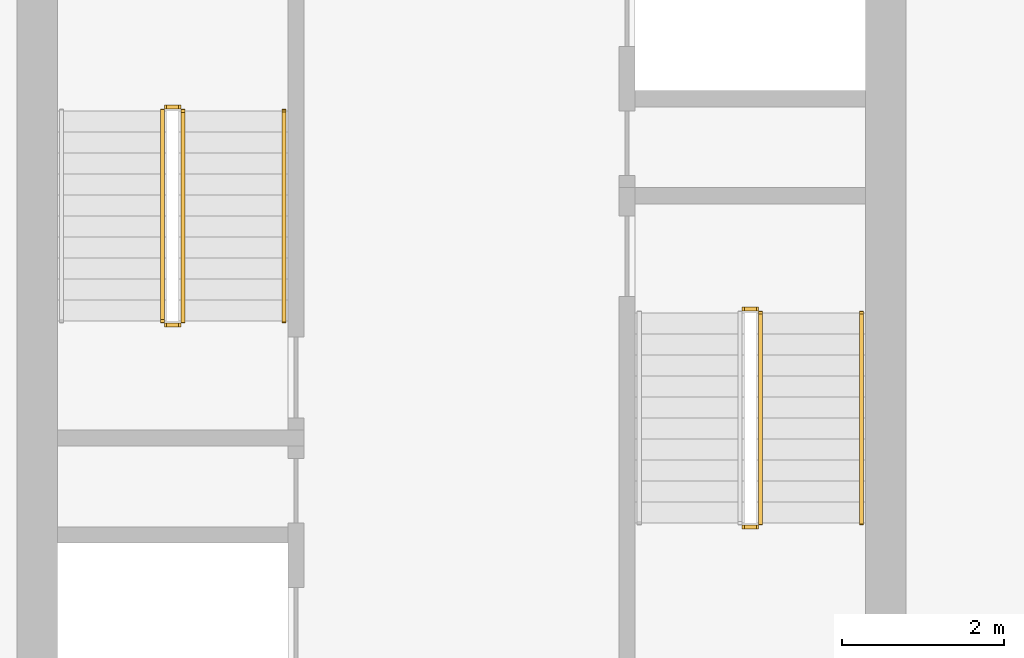
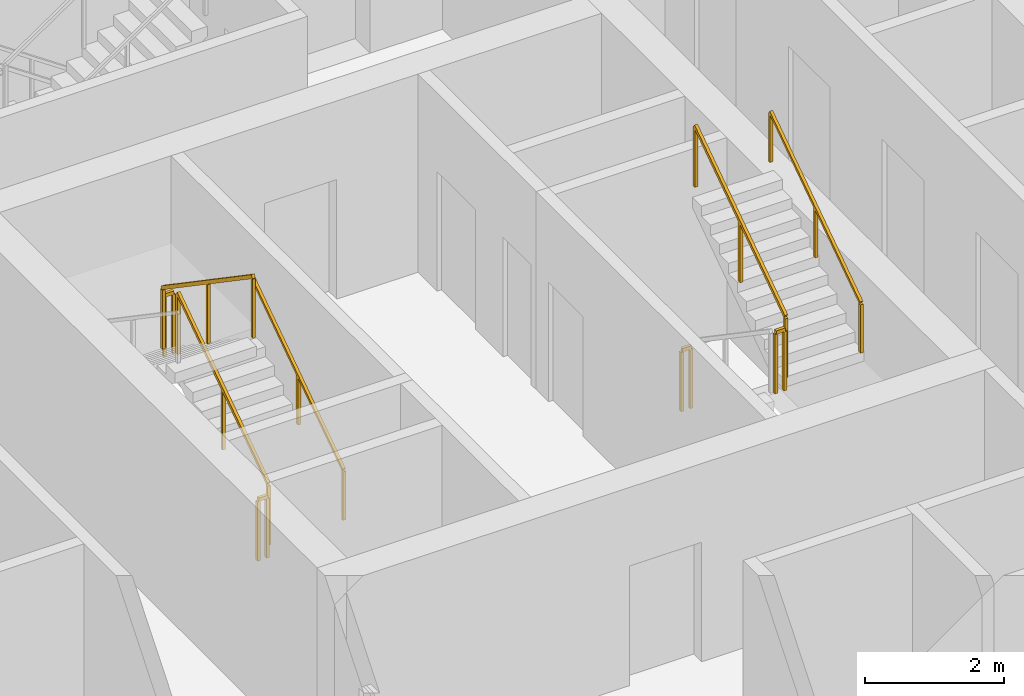
# One storey, part 13 of 16: 9 railings.
"""IFC4 building model written with IfcOpenShell, lengths in metres."""

from ifc_helpers import new_model, si_unit, direction, frame, origin, origin_2d, place, context, subcontext, project, spatial, rectangle, extrude, material, type_object, element, save


model = new_model("IFC4")

# Units and contexts
model_context = context("Model", 3, precision=1e-05, world=origin(), true_north=direction((0.0, 1.0)))
body_context = subcontext(model_context, "Body", "Model", "MODEL_VIEW")
ifc_project = project(units=[si_unit("LENGTHUNIT", "METRE"), si_unit("AREAUNIT", "SQUARE_METRE"), si_unit("VOLUMEUNIT", "CUBIC_METRE"), si_unit("PLANEANGLEUNIT", "RADIAN"), si_unit("MASSUNIT", "GRAM", prefix="KILO")], contexts=[model_context])

# Site, building, storey
site_placement = place(None, origin())
site = spatial("IfcSite", under=ifc_project, at=site_placement, CompositionType="ELEMENT")
building_placement = place(site_placement, origin())
building = spatial("IfcBuilding", under=site, at=building_placement, Name="Khepri Terraces", CompositionType="ELEMENT")
storey_placement = place(building_placement, frame((0.0, 0.0, 133.800048828125)))
storey = spatial("IfcBuildingStorey", under=building, at=storey_placement, Name="L31", CompositionType="ELEMENT", Elevation=133.800048828125)

# Railings
ifc_material = material(Name="Stainless steel 316", Category="steel")
railing_type_1 = type_object("IfcRailingType", Name="RL-CORE-GUARD", PredefinedType="GUARDRAIL", material=ifc_material)
railing_1_placement = place(storey_placement, frame((-3.449951171875, -0.050048828125, 0.17724609375)))
element("IfcRailing", 1, at=railing_1_placement, inside=storey, type_object=railing_type_1, Name="L31 ST-1 stair guard 1", PredefinedType="GUARDRAIL", context=body_context, shape_type="SweptSolid", body=[
    extrude(rectangle(XDim=0.050048828125, YDim=0.06005859375, at=origin_2d()), frame((0.0, 0.0, 1.070068359375), z_axis=(0.0, 0.826240473404, 0.563317565952), x_axis=(-1.0, 0.0, 0.0)), (0.0, 0.0, 1.0), 3.14697265625),
    extrude(rectangle(XDim=0.050048828125, YDim=0.050048828125, at=origin_2d()), origin(), (0.0, 0.0, 1.0), 1.0400390625),
    extrude(rectangle(XDim=0.050048828125, YDim=0.050048828125, at=origin_2d()), frame((0.0, 1.300048828125, 0.88623046875)), (0.0, 0.0, 1.0), 1.0400390625),
    extrude(rectangle(XDim=0.050048828125, YDim=0.050048828125, at=origin_2d()), frame((0.0, 2.60009765625, 1.772705078125)), (0.0, 0.0, 1.0), 1.0400390625),
])
railing_2_placement = place(storey_placement, frame((-3.5, 2.60009765625, 1.949951171875)))
element("IfcRailing", 2, at=railing_2_placement, inside=storey, type_object=railing_type_1, Name="L31 ST-1 stair guard 2", PredefinedType="GUARDRAIL", context=body_context, shape_type="SweptSolid", body=[
    extrude(rectangle(XDim=0.050048828125, YDim=0.06005859375, at=origin_2d()), frame((0.0, 0.0, 1.070068359375), z_axis=(-1.0, 0.0, 0.0), x_axis=(0.0, -1.0, 0.0)), (0.0, 0.0, 1.0), 0.14990234375),
    extrude(rectangle(XDim=0.050048828125, YDim=0.050048828125, at=origin_2d()), origin(), (0.0, 0.0, 1.0), 1.0400390625),
    extrude(rectangle(XDim=0.050048828125, YDim=0.050048828125, at=origin_2d()), frame((-0.14990234375, 0.0, 0.0)), (0.0, 0.0, 1.0), 1.0400390625),
])
railing_3_placement = place(storey_placement, frame((-3.699951171875, 2.550048828125, 2.127197265625)))
element("IfcRailing", 3, at=railing_3_placement, inside=storey, type_object=railing_type_1, Name="L31 ST-1 stair guard 3", PredefinedType="GUARDRAIL", context=body_context, shape_type="SweptSolid", body=[
    extrude(rectangle(XDim=0.050048828125, YDim=0.06005859375, at=origin_2d()), frame((0.0, 0.0, 1.070068359375), z_axis=(0.0, -0.826240473404, 0.563317565952), x_axis=(1.0, 0.0, 0.0)), (0.0, 0.0, 1.0), 3.14697265625),
    extrude(rectangle(XDim=0.050048828125, YDim=0.050048828125, at=origin_2d()), origin(), (0.0, 0.0, 1.0), 1.0400390625),
    extrude(rectangle(XDim=0.050048828125, YDim=0.050048828125, at=origin_2d()), frame((0.0, -1.300048828125, 0.88623046875)), (0.0, 0.0, 1.0), 1.0400390625),
    extrude(rectangle(XDim=0.050048828125, YDim=0.050048828125, at=origin_2d()), frame((0.0, -2.60009765625, 1.772705078125)), (0.0, 0.0, 1.0), 1.0400390625),
])
railing_4_placement = place(storey_placement, frame((-3.5, -0.10009765625, 0.0)))
element("IfcRailing", 4, at=railing_4_placement, inside=storey, type_object=railing_type_1, Name="L31 ST-1 stair guard 4", PredefinedType="GUARDRAIL", context=body_context, shape_type="SweptSolid", body=[
    extrude(rectangle(XDim=0.050048828125, YDim=0.06005859375, at=origin_2d()), frame((0.0, 0.0, 1.070068359375), z_axis=(-1.0, 0.0, 0.0), x_axis=(0.0, -1.0, 0.0)), (0.0, 0.0, 1.0), 0.14990234375),
    extrude(rectangle(XDim=0.050048828125, YDim=0.050048828125, at=origin_2d()), origin(), (0.0, 0.0, 1.0), 1.0400390625),
    extrude(rectangle(XDim=0.050048828125, YDim=0.050048828125, at=origin_2d()), frame((-0.14990234375, 0.0, 0.0)), (0.0, 0.0, 1.0), 1.0400390625),
])
railing_5_placement = place(storey_placement, frame((3.5, -2.60009765625, 1.949951171875)))
element("IfcRailing", 5, at=railing_5_placement, inside=storey, type_object=railing_type_1, Name="L31 ST-2 stair guard 2", PredefinedType="GUARDRAIL", context=body_context, shape_type="SweptSolid", body=[
    extrude(rectangle(XDim=0.050048828125, YDim=0.06005859375, at=origin_2d()), frame((0.0, 0.0, 1.070068359375), z_axis=(1.0, 0.0, 0.0), x_axis=(0.0, 1.0, 0.0)), (0.0, 0.0, 1.0), 0.14990234375),
    extrude(rectangle(XDim=0.050048828125, YDim=0.050048828125, at=origin_2d()), origin(), (0.0, 0.0, 1.0), 1.0400390625),
    extrude(rectangle(XDim=0.050048828125, YDim=0.050048828125, at=origin_2d()), frame((0.14990234375, 0.0, 0.0)), (0.0, 0.0, 1.0), 1.0400390625),
])
railing_6_placement = place(storey_placement, frame((3.699951171875, -2.550048828125, 2.127197265625)))
element("IfcRailing", 6, at=railing_6_placement, inside=storey, type_object=railing_type_1, Name="L31 ST-2 stair guard 3", PredefinedType="GUARDRAIL", context=body_context, shape_type="SweptSolid", body=[
    extrude(rectangle(XDim=0.050048828125, YDim=0.06005859375, at=origin_2d()), frame((0.0, 0.0, 1.070068359375), z_axis=(0.0, 0.826240473404, 0.563317565952), x_axis=(-1.0, 0.0, 0.0)), (0.0, 0.0, 1.0), 3.14697265625),
    extrude(rectangle(XDim=0.050048828125, YDim=0.050048828125, at=origin_2d()), origin(), (0.0, 0.0, 1.0), 1.0400390625),
    extrude(rectangle(XDim=0.050048828125, YDim=0.050048828125, at=origin_2d()), frame((0.0, 1.300048828125, 0.88623046875)), (0.0, 0.0, 1.0), 1.0400390625),
    extrude(rectangle(XDim=0.050048828125, YDim=0.050048828125, at=origin_2d()), frame((0.0, 2.60009765625, 1.772705078125)), (0.0, 0.0, 1.0), 1.0400390625),
])
railing_7_placement = place(storey_placement, frame((3.5, 0.10009765625, 0.0)))
element("IfcRailing", 7, at=railing_7_placement, inside=storey, type_object=railing_type_1, Name="L31 ST-2 stair guard 4", PredefinedType="GUARDRAIL", context=body_context, shape_type="SweptSolid", body=[
    extrude(rectangle(XDim=0.050048828125, YDim=0.06005859375, at=origin_2d()), frame((0.0, 0.0, 1.070068359375), z_axis=(1.0, 0.0, 0.0), x_axis=(0.0, 1.0, 0.0)), (0.0, 0.0, 1.0), 0.14990234375),
    extrude(rectangle(XDim=0.050048828125, YDim=0.050048828125, at=origin_2d()), origin(), (0.0, 0.0, 1.0), 1.0400390625),
    extrude(rectangle(XDim=0.050048828125, YDim=0.050048828125, at=origin_2d()), frame((0.14990234375, 0.0, 0.0)), (0.0, 0.0, 1.0), 1.0400390625),
])
railing_type_2 = type_object("IfcRailingType", Name="RL-CORE-HANDRAIL", PredefinedType="HANDRAIL", material=ifc_material)
for number, where, name in (
    (8, (-2.199951171875, -0.050048828125, 0.17724609375), "L31 ST-1 stair handrail 1"),
    (9, (4.949951171875, -2.550048828125, 2.127197265625), "L31 ST-2 stair handrail 2"),
):
    element("IfcRailing", number, at=place(storey_placement, frame(where)), inside=storey, type_object=railing_type_2, Name=name, PredefinedType="HANDRAIL", context=body_context, shape_type="SweptSolid", body=[
        extrude(rectangle(XDim=0.050048828125, YDim=0.050048828125, at=origin_2d()), frame((0.0, 0.0, 0.875), z_axis=(0.0, 0.826240473404, 0.563317565952), x_axis=(-1.0, 0.0, 0.0)), (0.0, 0.0, 1.0), 3.14697265625),
        extrude(rectangle(XDim=0.050048828125, YDim=0.050048828125, at=origin_2d()), origin(), (0.0, 0.0, 1.0), 0.849853515625),
        extrude(rectangle(XDim=0.050048828125, YDim=0.050048828125, at=origin_2d()), frame((0.0, 1.300048828125, 0.88623046875)), (0.0, 0.0, 1.0), 0.849853515625),
        extrude(rectangle(XDim=0.050048828125, YDim=0.050048828125, at=origin_2d()), frame((0.0, 2.60009765625, 1.772705078125)), (0.0, 0.0, 1.0), 0.849853515625),
    ])

save(model, "model.ifc")
